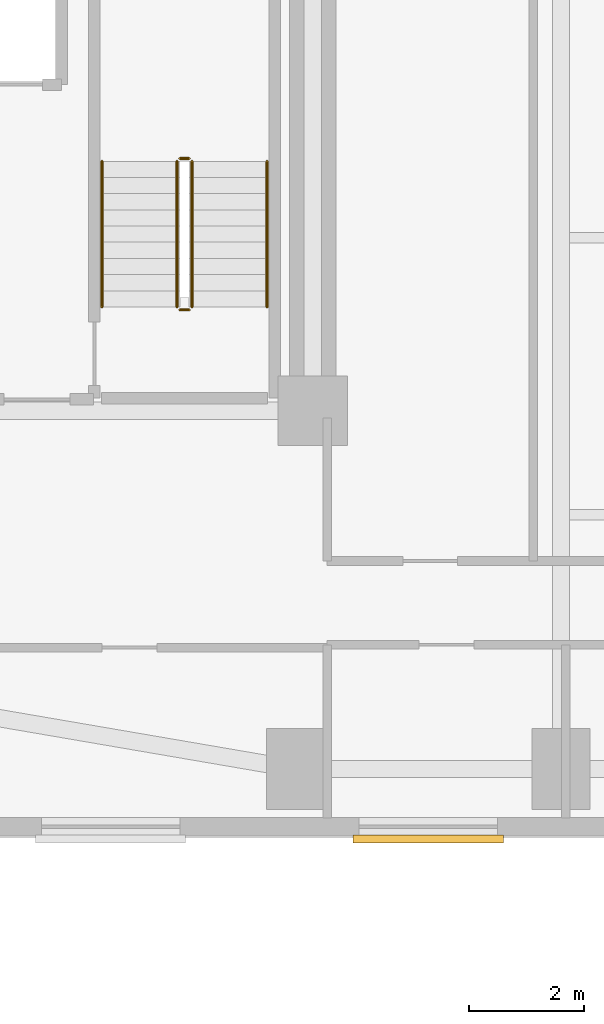
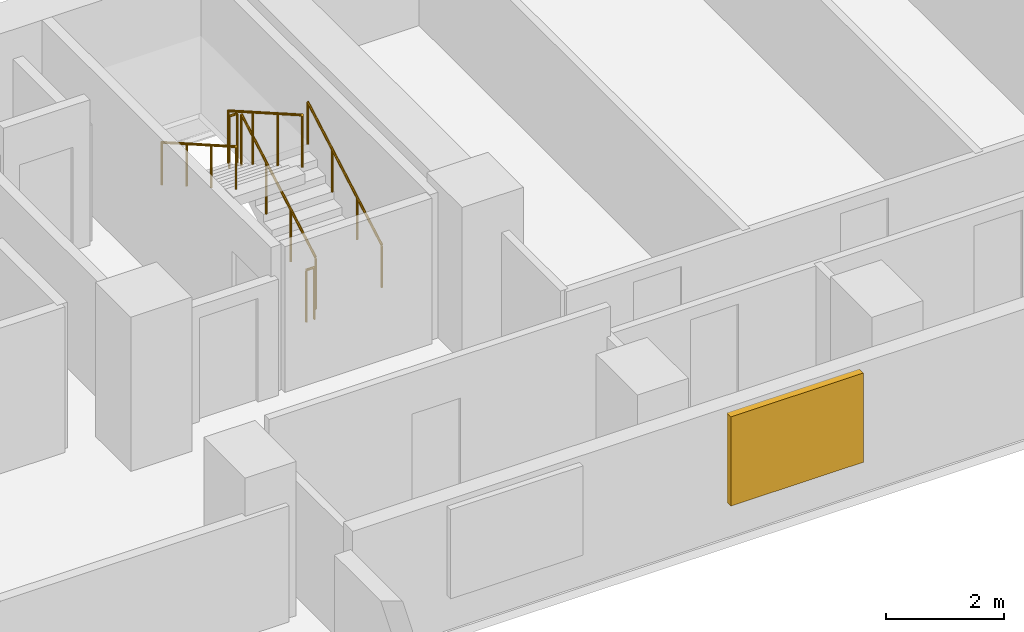
# One storey, part 14 of 16: 6 railings, 1 shading device.
"""IFC4 building model written with IfcOpenShell, lengths in metres."""

from ifc_helpers import new_model, si_unit, direction, frame, origin, origin_2d, place, context, subcontext, project, spatial, rectangle, circle, extrude, material, layer, layer_set, type_object, element, save


model = new_model("IFC4")

# Units and contexts
model_context = context("Model", 3, precision=1e-05, world=origin(), true_north=direction((0.0, 1.0)))
body_context = subcontext(model_context, "Body", "Model", "MODEL_VIEW")
ifc_project = project(units=[si_unit("LENGTHUNIT", "METRE"), si_unit("AREAUNIT", "SQUARE_METRE"), si_unit("VOLUMEUNIT", "CUBIC_METRE"), si_unit("PLANEANGLEUNIT", "RADIAN"), si_unit("MASSUNIT", "GRAM", prefix="KILO")], contexts=[model_context])

# Site, building, storey
site_placement = place(None, origin())
site = spatial("IfcSite", under=ifc_project, at=site_placement, CompositionType="ELEMENT")
building_placement = place(site_placement, origin())
building = spatial("IfcBuilding", under=site, at=building_placement, Name="Kuzgunbayir Cultural Tower", CompositionType="ELEMENT")
storey_placement = place(building_placement, frame((0.0, 0.0, 66.0)))
storey = spatial("IfcBuildingStorey", under=building, at=storey_placement, Name="L18", CompositionType="ELEMENT", Elevation=66.0)

# Railings
ifc_material_1 = material(Name="Brushed Stainless Steel", Category="steel")
ifc_layer_1 = layer(ifc_material_1, 0.050048828125)
ifc_layer_set_1 = layer_set([ifc_layer_1], Name="Brushed Stainless Steel")
railing_type_1 = type_object("IfcRailingType", Name="RLG-STAIR-HANDRAIL", PredefinedType="HANDRAIL", material=ifc_layer_set_1)
railing_1_placement = place(storey_placement, frame((26.110107421875, 35.60009765625, 0.159912109375)))
element("IfcRailing", 1, at=railing_1_placement, inside=storey, type_object=railing_type_1, Name="L18 ST-2 stair handrail 1", PredefinedType="HANDRAIL", context=body_context, shape_type="SweptSolid", body=[
    extrude(circle(Radius=0.02392578125, at=origin_2d()), frame((0.0, 0.0, 0.8759765625), z_axis=(0.0, 0.868217259934, 0.496184229447), x_axis=(-1.0, 0.0, 0.0)), (0.0, 0.0, 1.0), 2.902587890625),
    extrude(circle(Radius=0.02099609375, at=origin_2d()), origin(), (0.0, 0.0, 1.0), 0.851806640625),
    extrude(circle(Radius=0.02099609375, at=origin_2d()), frame((0.0, 0.840087890625, 0.47998046875)), (0.0, 0.0, 1.0), 0.851806640625),
    extrude(circle(Radius=0.02099609375, at=origin_2d()), frame((0.0, 1.679931640625, 0.960205078125)), (0.0, 0.0, 1.0), 0.851806640625),
    extrude(circle(Radius=0.02099609375, at=origin_2d()), frame((0.0, 2.52001953125, 1.440185546875)), (0.0, 0.0, 1.0), 0.851806640625),
])
railing_2_placement = place(storey_placement, frame((23.25, 38.1201171875, 1.760009765625)))
element("IfcRailing", 2, at=railing_2_placement, inside=storey, type_object=railing_type_1, Name="L18 ST-2 stair handrail 2", PredefinedType="HANDRAIL", context=body_context, shape_type="SweptSolid", body=[
    extrude(circle(Radius=0.02392578125, at=origin_2d()), frame((0.0, 0.0, 0.8759765625), z_axis=(0.0, -0.868253494771, 0.496120820787), x_axis=(1.0, 0.0, 0.0)), (0.0, 0.0, 1.0), 2.90234375),
    extrude(circle(Radius=0.02099609375, at=origin_2d()), origin(), (0.0, 0.0, 1.0), 0.851806640625),
    extrude(circle(Radius=0.02099609375, at=origin_2d()), frame((0.0, -0.840087890625, 0.47998046875)), (0.0, 0.0, 1.0), 0.851806640625),
    extrude(circle(Radius=0.02099609375, at=origin_2d()), frame((0.0, -1.679931640625, 0.9599609375)), (0.0, 0.0, 1.0), 0.851806640625),
    extrude(circle(Radius=0.02099609375, at=origin_2d()), frame((0.0, -2.52001953125, 1.43994140625)), (0.0, 0.0, 1.0), 0.851806640625),
])
ifc_material_2 = material(Name="Painted Steel Balustrade", Category="steel")
ifc_layer_2 = layer(ifc_material_2, 0.06005859375)
ifc_layer_set_2 = layer_set([ifc_layer_2], Name="Painted Steel Balustrade")
railing_type_2 = type_object("IfcRailingType", Name="RLG-WELL-GUARD", PredefinedType="GUARDRAIL", material=ifc_layer_set_2)
railing_3_placement = place(storey_placement, frame((24.81005859375, 35.60009765625, 0.159912109375)))
element("IfcRailing", 3, at=railing_3_placement, inside=storey, type_object=railing_type_2, Name="L18 ST-2 stair guard 1", PredefinedType="GUARDRAIL", context=body_context, shape_type="SweptSolid", body=[
    extrude(circle(Radius=0.02392578125, at=origin_2d()), frame((0.0, 0.0, 1.076171875), z_axis=(0.0, 0.868217259934, 0.496184229447), x_axis=(-1.0, 0.0, 0.0)), (0.0, 0.0, 1.0), 2.902587890625),
    extrude(circle(Radius=0.02099609375, at=origin_2d()), origin(), (0.0, 0.0, 1.0), 1.052001953125),
    extrude(circle(Radius=0.02099609375, at=origin_2d()), frame((0.0, 0.840087890625, 0.47998046875)), (0.0, 0.0, 1.0), 1.052001953125),
    extrude(circle(Radius=0.02099609375, at=origin_2d()), frame((0.0, 1.679931640625, 0.960205078125)), (0.0, 0.0, 1.0), 1.052001953125),
    extrude(circle(Radius=0.02099609375, at=origin_2d()), frame((0.0, 2.52001953125, 1.440185546875)), (0.0, 0.0, 1.0), 1.052001953125),
])
railing_4_placement = place(storey_placement, frame((24.760009765625, 38.169921875, 1.60009765625)))
element("IfcRailing", 4, at=railing_4_placement, inside=storey, type_object=railing_type_2, Name="L18 ST-2 stair guard 2", PredefinedType="GUARDRAIL", context=body_context, shape_type="SweptSolid", body=[
    extrude(circle(Radius=0.02392578125, at=origin_2d()), frame((0.0, 0.0, 1.076171875), z_axis=(-1.0, 0.0, 0.0), x_axis=(0.0, -1.0, 0.0)), (0.0, 0.0, 1.0), 0.159912109375),
    extrude(circle(Radius=0.02099609375, at=origin_2d()), origin(), (0.0, 0.0, 1.0), 1.052001953125),
    extrude(circle(Radius=0.02099609375, at=origin_2d()), frame((-0.159912109375, 0.0, 0.0)), (0.0, 0.0, 1.0), 1.052001953125),
])
railing_5_placement = place(storey_placement, frame((24.550048828125, 38.1201171875, 1.760009765625)))
element("IfcRailing", 5, at=railing_5_placement, inside=storey, type_object=railing_type_2, Name="L18 ST-2 stair guard 3", PredefinedType="GUARDRAIL", context=body_context, shape_type="SweptSolid", body=[
    extrude(circle(Radius=0.02392578125, at=origin_2d()), frame((0.0, 0.0, 1.076171875), z_axis=(0.0, -0.868253494771, 0.496120820787), x_axis=(1.0, 0.0, 0.0)), (0.0, 0.0, 1.0), 2.90234375),
    extrude(circle(Radius=0.02099609375, at=origin_2d()), origin(), (0.0, 0.0, 1.0), 1.052001953125),
    extrude(circle(Radius=0.02099609375, at=origin_2d()), frame((0.0, -0.840087890625, 0.47998046875)), (0.0, 0.0, 1.0), 1.052001953125),
    extrude(circle(Radius=0.02099609375, at=origin_2d()), frame((0.0, -1.679931640625, 0.9599609375)), (0.0, 0.0, 1.0), 1.052001953125),
    extrude(circle(Radius=0.02099609375, at=origin_2d()), frame((0.0, -2.52001953125, 1.43994140625)), (0.0, 0.0, 1.0), 1.052001953125),
])
railing_6_placement = place(storey_placement, frame((24.760009765625, 35.550048828125, 0.0)))
element("IfcRailing", 6, at=railing_6_placement, inside=storey, type_object=railing_type_2, Name="L18 ST-2 stair guard 4", PredefinedType="GUARDRAIL", context=body_context, shape_type="SweptSolid", body=[
    extrude(circle(Radius=0.02392578125, at=origin_2d()), frame((0.0, 0.0, 1.076171875), z_axis=(-1.0, 0.0, 0.0), x_axis=(0.0, -1.0, 0.0)), (0.0, 0.0, 1.0), 0.159912109375),
    extrude(circle(Radius=0.02099609375, at=origin_2d()), origin(), (0.0, 0.0, 1.0), 1.052001953125),
    extrude(circle(Radius=0.02099609375, at=origin_2d()), frame((-0.159912109375, 0.0, 0.0)), (0.0, 0.0, 1.0), 1.052001953125),
])

# Shading device
ifc_material_3 = material(Name="Perforated Bronze-Anodised Aluminium", Category="aluminium")
shading_device_type = type_object("IfcShadingDeviceType", Name="SHD-SOLAR-BRONZE", PredefinedType="JALOUSIE", material=ifc_material_3)
shading_device_placement = place(storey_placement, frame((28.89990234375, 26.389892578125, 0.724853515625), z_axis=(0.0, 0.0, 1.0), x_axis=(1.0, 0.0, 0.0)))
element("IfcShadingDevice", 7, at=shading_device_placement, inside=storey, type_object=shading_device_type, Name="L18 Solar Screen WBS10", PredefinedType="JALOUSIE", context=body_context, shape_type="SweptSolid", body=[
    extrude(rectangle(XDim=2.60009765625, YDim=0.139892578125, at=origin_2d()), origin(), (0.0, 0.0, 1.0), 1.85009765625),
])

save(model, "model.ifc")
